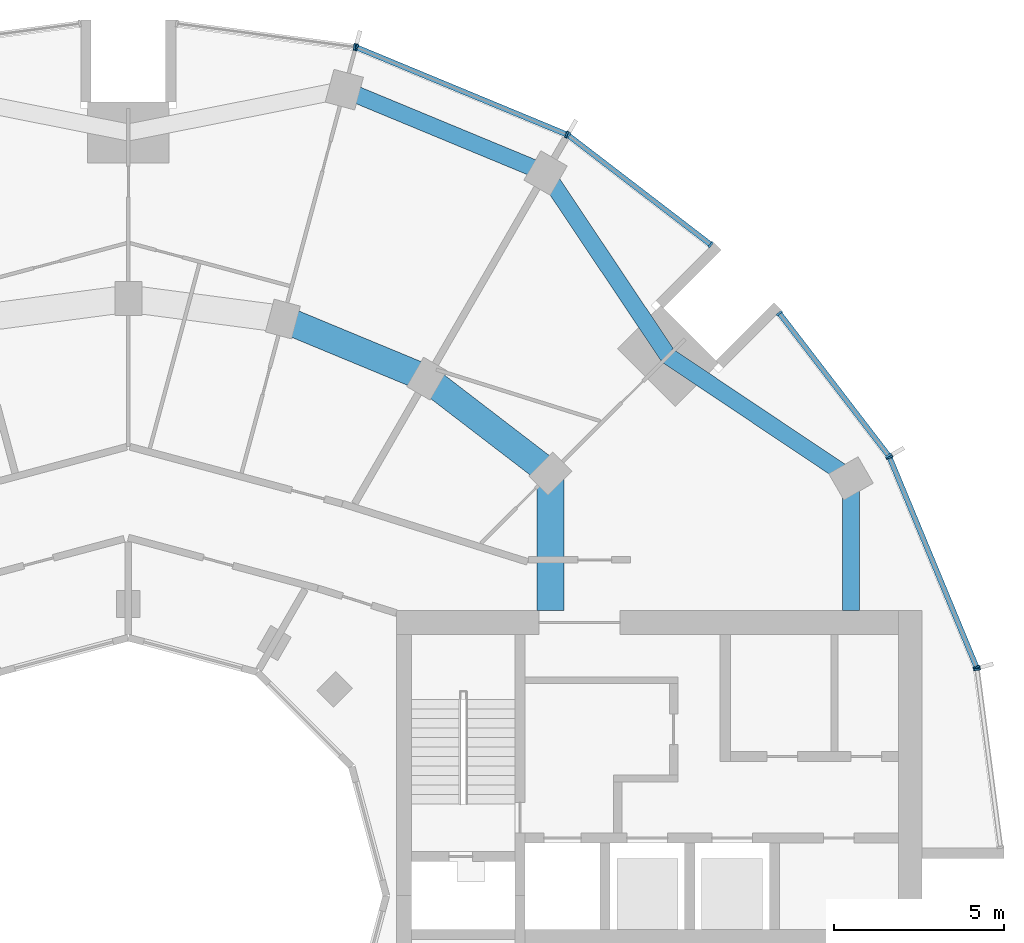
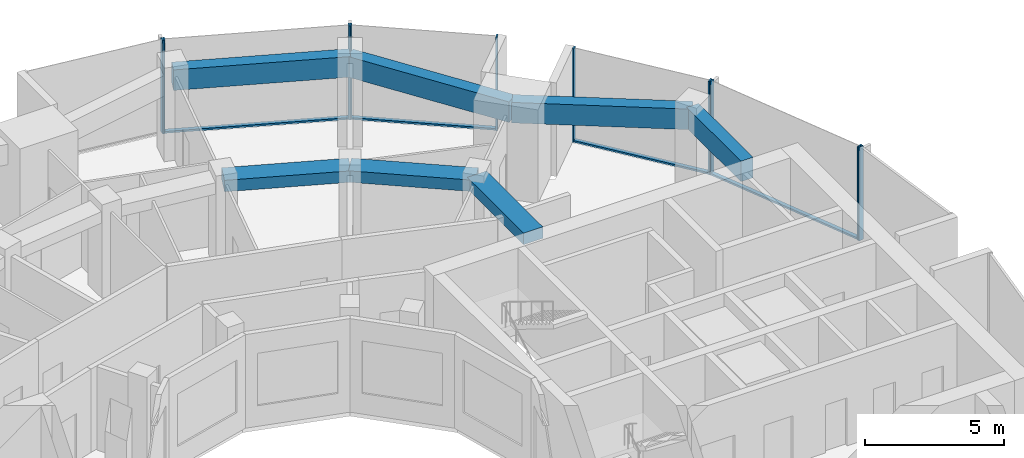
# One storey, part 6 of 15: 14 members, 7 beams, 6 elements without a shape of their own.
"""IFC4 building model written with IfcOpenShell, lengths in metres."""

from ifc_helpers import new_model, si_unit, direction, frame, origin, origin_2d, place, context, subcontext, project, spatial, rectangle, extrude, material, layer, layer_set, material_profile, profile_set, type_object, element, aggregate, save


model = new_model("IFC4")

# Units and contexts
model_context = context("Model", 3, precision=1e-05, world=origin(), true_north=direction((0.0, 1.0)))
body_context = subcontext(model_context, "Body", "Model", "MODEL_VIEW")
ifc_project = project(units=[si_unit("LENGTHUNIT", "METRE"), si_unit("AREAUNIT", "SQUARE_METRE"), si_unit("VOLUMEUNIT", "CUBIC_METRE"), si_unit("PLANEANGLEUNIT", "RADIAN"), si_unit("MASSUNIT", "GRAM", prefix="KILO")], contexts=[model_context])

# Site, building, storey
site_placement = place(None, origin())
site = spatial("IfcSite", under=ifc_project, at=site_placement, CompositionType="ELEMENT")
building_placement = place(site_placement, origin())
building = spatial("IfcBuilding", under=site, at=building_placement, Name="Torre Brocal", CompositionType="ELEMENT")
storey_placement = place(building_placement, frame((0.0, 0.0, 190.5)))
storey = spatial("IfcBuildingStorey", under=building, at=storey_placement, Name="L44", CompositionType="ELEMENT", Elevation=190.5)

# Curtain wall, members
ifc_material_1 = material(Name="Aluminium and glass", Category="aluminium")
ifc_layer_1 = layer(ifc_material_1, 0.199951171875)
ifc_layer_set_1 = layer_set([ifc_layer_1], Name="Aluminium and glass")
curtain_wall_type_1 = type_object("IfcCurtainWallType", Name="CW-1 CURTAIN WALL 4100 HIGH", PredefinedType="NOTDEFINED", material=ifc_layer_set_1)
curtain_wall_1_placement = place(storey_placement, origin())
curtain_wall_1 = element("IfcCurtainWall", 1, at=curtain_wall_1_placement, inside=storey, type_object=curtain_wall_type_1, Name="CW-1 RUN 2", PredefinedType="NOTDEFINED")
ifc_material_2 = material(Name="Aluminium, dark anodised", Category="aluminium")
ifc_material_profile_1 = material_profile(ifc_material_2, rectangle(XDim=0.199951171875, YDim=0.06005859375, at=origin_2d()), Name="CW-1 MULLION 60X200")
ifc_profile_set_1 = profile_set([ifc_material_profile_1], Name="Aluminium, dark anodised")
member_type_1 = type_object("IfcMemberType", Name="CW-1 MULLION 60X200", PredefinedType="MULLION", material=ifc_profile_set_1)
member_1_placement = place(storey_placement, frame((105.005126953125, 81.73095703125, 0.0), z_axis=(0.0, 0.0, 1.0), x_axis=(-0.923879532525, -0.382683432333, 0.0)))
member_1 = element("IfcMember", 2, at=member_1_placement, type_object=member_type_1, Name="CW1-4 mullion 1", PredefinedType="MULLION", context=body_context, shape_type="SweptSolid", body=[
    extrude(rectangle(XDim=0.199951171875, YDim=0.06005859375, at=origin_2d()), origin(), (0.0, 0.0, 1.0), 4.10009765625),
])
member_2_placement = place(storey_placement, frame((102.440673828125, 87.921875, 0.0), z_axis=(0.0, 0.0, 1.0), x_axis=(-0.923879532525, -0.382683432333, 0.0)))
member_2 = element("IfcMember", 3, at=member_2_placement, type_object=member_type_1, Name="CW1-4 mullion 2", PredefinedType="MULLION", context=body_context, shape_type="SweptSolid", body=[
    extrude(rectangle(XDim=0.199951171875, YDim=0.06005859375, at=origin_2d()), origin(), (0.0, 0.0, 1.0), 4.10009765625),
])

curtain_wall_2_placement = place(storey_placement, origin())
curtain_wall_2 = element("IfcCurtainWall", 4, at=curtain_wall_2_placement, inside=storey, type_object=curtain_wall_type_1, Name="CW-1 RUN 3", PredefinedType="NOTDEFINED")
member_3_placement = place(storey_placement, frame((102.4111328125, 87.973388671875, 0.0), z_axis=(0.0, 0.0, 1.0), x_axis=(-0.793353340259, -0.60876142905, 0.0)))
member_3 = element("IfcMember", 5, at=member_3_placement, type_object=member_type_1, Name="CW1-4 mullion 1", PredefinedType="MULLION", context=body_context, shape_type="SweptSolid", body=[
    extrude(rectangle(XDim=0.199951171875, YDim=0.06005859375, at=origin_2d()), origin(), (0.0, 0.0, 1.0), 4.10009765625),
])
member_4_placement = place(storey_placement, frame((99.19140625, 92.16943359375, 0.0), z_axis=(0.0, 0.0, 1.0), x_axis=(-0.793353340259, -0.60876142905, 0.0)))
member_4 = element("IfcMember", 6, at=member_4_placement, type_object=member_type_1, Name="CW1-4 mullion 2", PredefinedType="MULLION", context=body_context, shape_type="SweptSolid", body=[
    extrude(rectangle(XDim=0.199951171875, YDim=0.06005859375, at=origin_2d()), origin(), (0.0, 0.0, 1.0), 4.10009765625),
])

curtain_wall_3_placement = place(storey_placement, origin())
curtain_wall_3 = element("IfcCurtainWall", 7, at=curtain_wall_3_placement, inside=storey, type_object=curtain_wall_type_1, Name="CW-1 RUN 4", PredefinedType="NOTDEFINED")
member_5_placement = place(storey_placement, frame((97.16943359375, 94.19140625, 0.0), z_axis=(0.0, 0.0, 1.0), x_axis=(-0.60876142905, -0.793353340259, 0.0)))
member_5 = element("IfcMember", 8, at=member_5_placement, type_object=member_type_1, Name="CW1-4 mullion 1", PredefinedType="MULLION", context=body_context, shape_type="SweptSolid", body=[
    extrude(rectangle(XDim=0.199951171875, YDim=0.06005859375, at=origin_2d()), origin(), (0.0, 0.0, 1.0), 4.10009765625),
])
member_6_placement = place(storey_placement, frame((92.973388671875, 97.4111328125, 0.0), z_axis=(0.0, 0.0, 1.0), x_axis=(-0.60876142905, -0.793353340259, 0.0)))
member_6 = element("IfcMember", 9, at=member_6_placement, type_object=member_type_1, Name="CW1-4 mullion 2", PredefinedType="MULLION", context=body_context, shape_type="SweptSolid", body=[
    extrude(rectangle(XDim=0.199951171875, YDim=0.06005859375, at=origin_2d()), origin(), (0.0, 0.0, 1.0), 4.10009765625),
])

curtain_wall_4_placement = place(storey_placement, origin())
curtain_wall_4 = element("IfcCurtainWall", 10, at=curtain_wall_4_placement, inside=storey, type_object=curtain_wall_type_1, Name="CW-1 RUN 5", PredefinedType="NOTDEFINED")
member_7_placement = place(storey_placement, frame((92.921875, 97.440673828125, 0.0), z_axis=(0.0, 0.0, 1.0), x_axis=(-0.382683432333, -0.923879532525, 0.0)))
member_7 = element("IfcMember", 11, at=member_7_placement, type_object=member_type_1, Name="CW1-4 mullion 1", PredefinedType="MULLION", context=body_context, shape_type="SweptSolid", body=[
    extrude(rectangle(XDim=0.199951171875, YDim=0.06005859375, at=origin_2d()), origin(), (0.0, 0.0, 1.0), 4.10009765625),
])
member_8_placement = place(storey_placement, frame((86.73095703125, 100.005126953125, 0.0), z_axis=(0.0, 0.0, 1.0), x_axis=(-0.382683432333, -0.923879532525, 0.0)))
member_8 = element("IfcMember", 12, at=member_8_placement, type_object=member_type_1, Name="CW1-4 mullion 2", PredefinedType="MULLION", context=body_context, shape_type="SweptSolid", body=[
    extrude(rectangle(XDim=0.199951171875, YDim=0.06005859375, at=origin_2d()), origin(), (0.0, 0.0, 1.0), 4.10009765625),
])

# Curtain wall, member
curtain_wall_5_placement = place(storey_placement, origin())
curtain_wall_5 = element("IfcCurtainWall", 13, at=curtain_wall_5_placement, inside=storey, type_object=curtain_wall_type_1, Name="CW-1 RUN 6", PredefinedType="NOTDEFINED")
member_9_placement = place(storey_placement, frame((86.67333984375, 100.0205078125, 0.0), z_axis=(0.0, 0.0, 1.0), x_axis=(-0.13052619222, -0.991444861374, 0.0)))
member_9 = element("IfcMember", 14, at=member_9_placement, type_object=member_type_1, Name="CW1-4 mullion 1", PredefinedType="MULLION", context=body_context, shape_type="SweptSolid", body=[
    extrude(rectangle(XDim=0.199951171875, YDim=0.06005859375, at=origin_2d()), origin(), (0.0, 0.0, 1.0), 4.10009765625),
])
aggregate(curtain_wall_5, [member_9])

# Member
ifc_material_3 = material(Name="Aluminium, dark anodised", Category="aluminium")
ifc_material_profile_2 = material_profile(ifc_material_3, rectangle(XDim=0.159912109375, YDim=0.080078125, at=origin_2d()), Name="CW-1 TRANSOM 160X80")
ifc_profile_set_2 = profile_set([ifc_material_profile_2], Name="Aluminium, dark anodised")
member_type_2 = type_object("IfcMemberType", Name="CW-1 TRANSOM 160X80", PredefinedType="USERDEFINED", material=ifc_profile_set_2)
member_10_placement = place(storey_placement, frame((104.99365234375, 81.758544921875, 0.0400390625), z_axis=(-0.38266457234, 0.923887344364, 0.0), x_axis=(-0.923887344364, -0.38266457234, 0.0)))
member_10 = element("IfcMember", 15, at=member_10_placement, type_object=member_type_2, Name="CW1-4 transom 1.1", ObjectType="TRANSOM", PredefinedType="USERDEFINED", context=body_context, shape_type="SweptSolid", body=[
    extrude(rectangle(XDim=0.159912109375, YDim=0.080078125, at=origin_2d()), origin(), (0.0, 0.0, 1.0), 6.640869140625),
])

aggregate(curtain_wall_1, [member_1, member_2, member_10])

member_11_placement = place(storey_placement, frame((102.392822265625, 87.9970703125, 0.0400390625), z_axis=(-0.60874908096, 0.79336281513, 0.0), x_axis=(-0.79336281513, -0.60874908096, 0.0)))
member_11 = element("IfcMember", 16, at=member_11_placement, type_object=member_type_2, Name="CW1-4 transom 1.1", ObjectType="TRANSOM", PredefinedType="USERDEFINED", context=body_context, shape_type="SweptSolid", body=[
    extrude(rectangle(XDim=0.159912109375, YDim=0.080078125, at=origin_2d()), origin(), (0.0, 0.0, 1.0), 5.22900390625),
])

aggregate(curtain_wall_2, [member_3, member_4, member_11])

member_12_placement = place(storey_placement, frame((97.1455078125, 94.209716796875, 0.0400390625), z_axis=(-0.79336281513, 0.60874908096, 0.0), x_axis=(-0.60874908096, -0.79336281513, 0.0)))
member_12 = element("IfcMember", 17, at=member_12_placement, type_object=member_type_2, Name="CW1-4 transom 1.1", ObjectType="TRANSOM", PredefinedType="USERDEFINED", context=body_context, shape_type="SweptSolid", body=[
    extrude(rectangle(XDim=0.159912109375, YDim=0.080078125, at=origin_2d()), origin(), (0.0, 0.0, 1.0), 5.22900390625),
])

aggregate(curtain_wall_3, [member_5, member_6, member_12])

member_13_placement = place(storey_placement, frame((92.89404296875, 97.452392578125, 0.0400390625), z_axis=(-0.923887344364, 0.38266457234, 0.0), x_axis=(-0.38266457234, -0.923887344364, 0.0)))
member_13 = element("IfcMember", 18, at=member_13_placement, type_object=member_type_2, Name="CW1-4 transom 1.1", ObjectType="TRANSOM", PredefinedType="USERDEFINED", context=body_context, shape_type="SweptSolid", body=[
    extrude(rectangle(XDim=0.159912109375, YDim=0.080078125, at=origin_2d()), origin(), (0.0, 0.0, 1.0), 6.640869140625),
])

aggregate(curtain_wall_4, [member_7, member_8, member_13])

# Curtain wall, member
ifc_material_4 = material(Name="Aluminium and glass", Category="aluminium")
ifc_layer_2 = layer(ifc_material_4, 0.199951171875)
ifc_layer_set_2 = layer_set([ifc_layer_2], Name="Aluminium and glass")
curtain_wall_type_2 = type_object("IfcCurtainWallType", Name="CW-1B CURTAIN WALL 4100 HIGH", PredefinedType="NOTDEFINED", material=ifc_layer_set_2)
curtain_wall_6_placement = place(storey_placement, origin())
curtain_wall_6 = element("IfcCurtainWall", 19, at=curtain_wall_6_placement, inside=storey, type_object=curtain_wall_type_2, Name="CW-1B RUN 1", PredefinedType="NOTDEFINED")
ifc_material_5 = material(Name="Aluminium, dark anodised", Category="aluminium")
ifc_material_profile_3 = material_profile(ifc_material_5, rectangle(XDim=0.199951171875, YDim=0.06005859375, at=origin_2d()), Name="CW-1B MULLION 60X200")
ifc_profile_set_3 = profile_set([ifc_material_profile_3], Name="Aluminium, dark anodised")
member_type_3 = type_object("IfcMemberType", Name="CW-1B MULLION 60X200", PredefinedType="MULLION", material=ifc_profile_set_3)
member_14_placement = place(storey_placement, frame((105.0205078125, 81.67333984375, 0.0), z_axis=(0.0, 0.0, 1.0), x_axis=(-0.991444861374, -0.13052619222, 0.0)))
member_14 = element("IfcMember", 20, at=member_14_placement, type_object=member_type_3, Name="CW1B-4 mullion 2", PredefinedType="MULLION", context=body_context, shape_type="SweptSolid", body=[
    extrude(rectangle(XDim=0.199951171875, YDim=0.06005859375, at=origin_2d()), origin(), (0.0, 0.0, 1.0), 4.10009765625),
])
aggregate(curtain_wall_6, [member_14])

# Beams
ifc_material_6 = material(Name="Concrete C50", Category="concrete")
ifc_material_profile_4 = material_profile(ifc_material_6, rectangle(XDim=0.800048828125, YDim=0.5, at=origin_2d()), Name="RC 800X500")
ifc_profile_set_4 = profile_set([ifc_material_profile_4], Name="Concrete C50")
beam_type_1 = type_object("IfcBeamType", Name="RC BEAM 800X500 C50 TOP 3780", PredefinedType="BEAM", material=ifc_profile_set_4)
beam_1_placement = place(storey_placement, frame((92.445068359375, 87.445068359375, 3.530029296875), z_axis=(-0.793358265959, 0.6087550097, 0.0), x_axis=(-0.6087550097, -0.793358265959, 0.0)))
element("IfcBeam", 21, at=beam_1_placement, inside=storey, type_object=beam_type_1, Name="Beam BT-32", PredefinedType="BEAM", context=body_context, shape_type="SweptSolid", body=[
    extrude(rectangle(XDim=0.800048828125, YDim=0.5, at=origin_2d()), origin(), (0.0, 0.0, 1.0), 4.594482421875),
])
beam_2_placement = place(storey_placement, frame((88.800048828125, 90.241943359375, 3.530029296875), z_axis=(-0.923878240166, 0.382686552348, 0.0), x_axis=(-0.382686552348, -0.923878240166, 0.0)))
element("IfcBeam", 22, at=beam_2_placement, inside=storey, type_object=beam_type_1, Name="Beam BT-32", PredefinedType="BEAM", context=body_context, shape_type="SweptSolid", body=[
    extrude(rectangle(XDim=0.800048828125, YDim=0.5, at=origin_2d()), origin(), (0.0, 0.0, 1.0), 4.5947265625),
])
beam_3_placement = place(storey_placement, frame((92.445068359375, 87.445068359375, 3.530029296875), z_axis=(0.0, -1.0, 0.0), x_axis=(1.0, 0.0, 0.0)))
element("IfcBeam", 23, at=beam_3_placement, inside=storey, type_object=beam_type_1, Name="Beam BT-32", PredefinedType="BEAM", context=body_context, shape_type="SweptSolid", body=[
    extrude(rectangle(XDim=0.800048828125, YDim=0.5, at=origin_2d()), origin(), (0.0, 0.0, 1.0), 4.045166015625),
])
ifc_material_7 = material(Name="Concrete C50", Category="concrete")
ifc_material_profile_5 = material_profile(ifc_material_7, rectangle(XDim=0.5, YDim=0.89990234375, at=origin_2d()), Name="RC 500X900")
ifc_profile_set_5 = profile_set([ifc_material_profile_5], Name="Concrete C50")
beam_type_2 = type_object("IfcBeamType", Name="RC SPANDREL BEAM 500X900 C50 TOP 3780", PredefinedType="SPANDREL", material=ifc_profile_set_5)
for number, where, z_axis, x_axis, name in (
    (24, (101.30419921875, 87.300048828125, 3.330078125), (-0.831076844476, 0.556157602282, 0.0), (-0.556157602282, -0.831076844476, 0.0), "Beam BT-33"),
    (25, (95.909912109375, 90.909912109375, 3.330078125), (-0.556157602282, 0.831076844476, 0.0), (-0.831076844476, -0.556157602282, 0.0), "Beam BT-33"),
):
    element("IfcBeam", number, at=place(storey_placement, frame(where, z_axis=z_axis, x_axis=x_axis)), inside=storey, type_object=beam_type_2, Name=name, PredefinedType="SPANDREL", context=body_context, shape_type="SweptSolid", body=[
        extrude(rectangle(XDim=0.5, YDim=0.89990234375, at=origin_2d()), origin(), (0.0, 0.0, 1.0), 6.49072265625),
    ])
beam_4_placement = place(storey_placement, frame((92.300048828125, 96.30419921875, 3.330078125), z_axis=(-0.923882462513, 0.382676358639, 0.0), x_axis=(-0.382676358639, -0.923882462513, 0.0)))
element("IfcBeam", 26, at=beam_4_placement, inside=storey, type_object=beam_type_2, Name="Beam BT-33", PredefinedType="SPANDREL", context=body_context, shape_type="SweptSolid", body=[
    extrude(rectangle(XDim=0.5, YDim=0.89990234375, at=origin_2d()), origin(), (0.0, 0.0, 1.0), 6.421875),
])
beam_5_placement = place(storey_placement, frame((101.30419921875, 87.300048828125, 3.330078125), z_axis=(0.0, -1.0, 0.0), x_axis=(1.0, 0.0, 0.0)))
element("IfcBeam", 27, at=beam_5_placement, inside=storey, type_object=beam_type_2, Name="Beam BT-33", PredefinedType="SPANDREL", context=body_context, shape_type="SweptSolid", body=[
    extrude(rectangle(XDim=0.5, YDim=0.89990234375, at=origin_2d()), origin(), (0.0, 0.0, 1.0), 3.900146484375),
])

save(model, "model.ifc")
